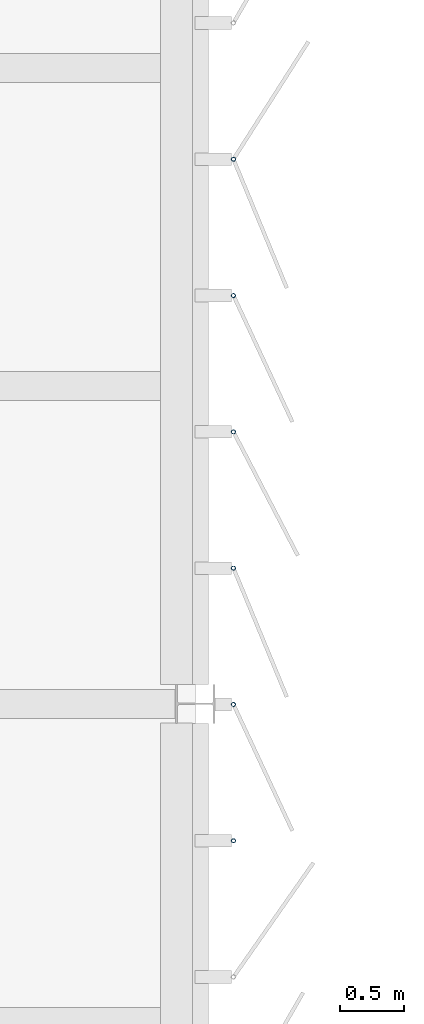
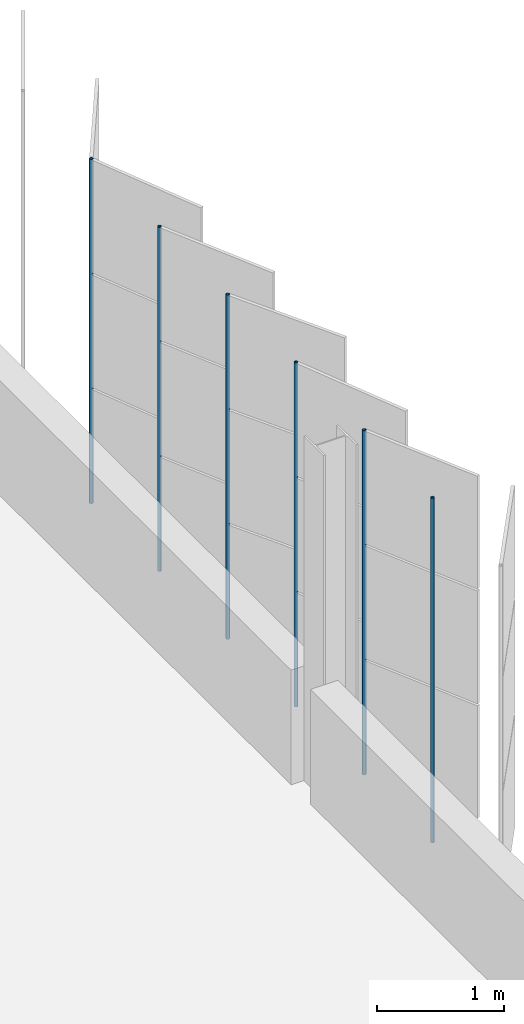
# One storey, part 132 of 214: 6 discrete accessories.
"""IFC4 building model written with IfcOpenShell, lengths in metres."""

from ifc_helpers import new_model, si_unit, direction, frame, origin, origin_2d, place, context, subcontext, project, spatial, hollow_circle, extrude, material, material_profile, profile_set, type_object, element, save


model = new_model("IFC4")

# Units and contexts
model_context = context("Model", 3, precision=1e-05, world=origin(), true_north=direction((0.0, 1.0)))
body_context = subcontext(model_context, "Body", "Model", "MODEL_VIEW")
ifc_project = project(units=[si_unit("LENGTHUNIT", "METRE"), si_unit("AREAUNIT", "SQUARE_METRE"), si_unit("VOLUMEUNIT", "CUBIC_METRE"), si_unit("PLANEANGLEUNIT", "RADIAN"), si_unit("MASSUNIT", "GRAM", prefix="KILO")], contexts=[model_context])

# Site, building, storey
site_placement = place(None, origin())
site = spatial("IfcSite", under=ifc_project, at=site_placement, CompositionType="ELEMENT")
building_placement = place(site_placement, origin())
building = spatial("IfcBuilding", under=site, at=building_placement, Name="Parallax Yard Mobility Hub", CompositionType="ELEMENT")
storey_placement = place(building_placement, frame((0.0, 0.0, 3.300048828125)))
storey = spatial("IfcBuildingStorey", under=building, at=storey_placement, Name="L01", CompositionType="ELEMENT", Elevation=3.300048828125)

# Discrete accessories
ifc_material = material(Name="Steel ASTM A500 Gr C, hot-dip galvanised", Category="steel")
ifc_material_profile = material_profile(ifc_material, hollow_circle(Radius=0.016845703125, WallThickness=0.003173828125, at=origin_2d()), Name="CHS 33.7x3.2")
ifc_profile_set = profile_set([ifc_material_profile], Name="Steel ASTM A500 Gr C, hot-dip galvanised")
discrete_accessory_type = type_object("IfcDiscreteAccessoryType", Name="Hinge post CHS 33.7x3.2", PredefinedType="BRACKET", material=ifc_profile_set)
for number, where, z_axis, x_axis, name in (
    (1, (225.300048828125, 66.42431640625, 0.0), (0.0, 0.0, 1.0), (1.0, 0.0, 0.0), "Hinge post bay 37.7 level L01"),
    (2, (225.300048828125, 67.49609375, 0.0), (0.0, 0.0, 1.0), (1.0, 0.0, 0.0), "Hinge post bay 38.1 level L01"),
    (3, (225.300048828125, 68.56787109375, 0.0), (0.0, 0.0, 1.0), (1.0, 0.0, 0.0), "Hinge post bay 38.2 level L01"),
    (4, (225.300048828125, 69.639404296875, 0.0), (0.0, 0.0, 1.0), (1.0, 0.0, 0.0), "Hinge post bay 38.3 level L01"),
    (5, (225.300048828125, 70.711181640625, 0.0), (0.0, 0.0, 1.0), (1.0, 0.0, 0.0), "Hinge post bay 38.4 level L01"),
    (6, (225.300048828125, 71.782958984375, 0.0), (0.0, 0.0, 1.0), (1.0, 0.0, 0.0), "Hinge post bay 38.5 level L01"),
):
    element("IfcDiscreteAccessory", number, at=place(storey_placement, frame(where, z_axis=z_axis, x_axis=x_axis)), inside=storey, type_object=discrete_accessory_type, Name=name, PredefinedType="BRACKET", context=body_context, shape_type="SweptSolid", body=[
        extrude(hollow_circle(Radius=0.016845703125, WallThickness=0.003173828125, at=origin_2d()), origin(), (0.0, 0.0, 1.0), 3.300048828125),
    ])

save(model, "model.ifc")
